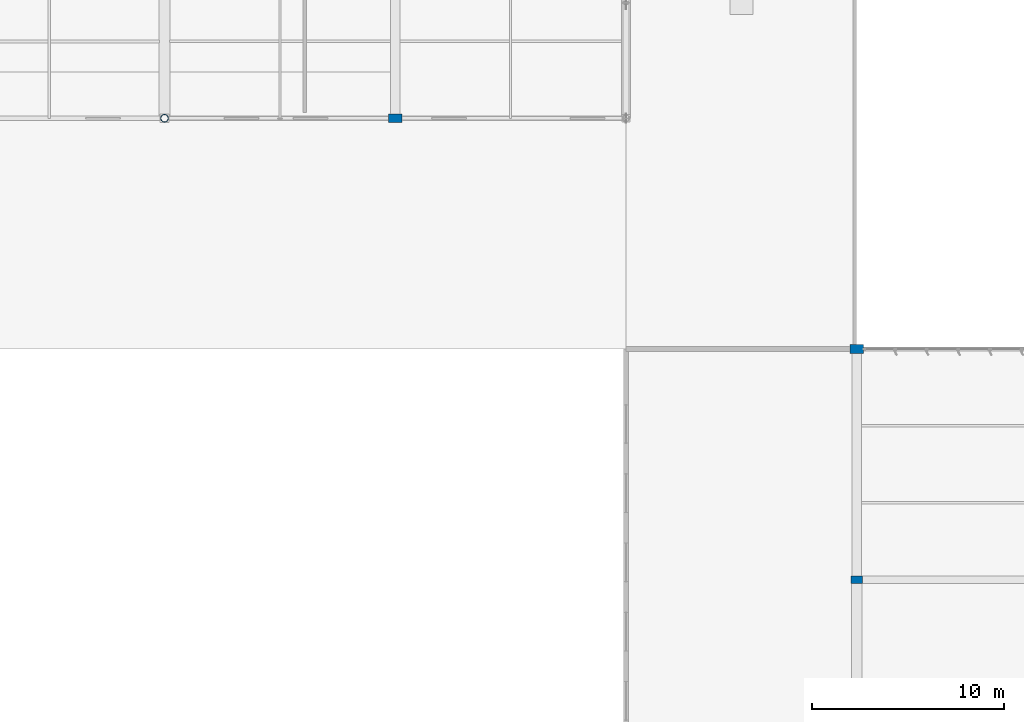
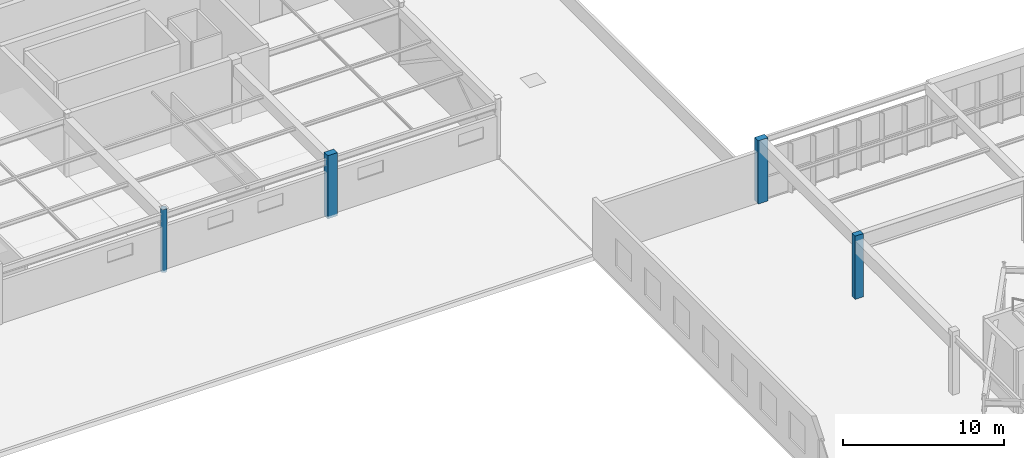
# One storey, part 3 of 186: 4 columns.
"""IFC4 building model written with IfcOpenShell, lengths in metres."""

from ifc_helpers import new_model, si_unit, direction, frame, origin, origin_2d, place, context, subcontext, project, spatial, rectangle, hollow_circle, extrude, material, material_profile, profile_set, type_object, element, save


model = new_model("IFC4")

# Units and contexts
model_context = context("Model", 3, precision=1e-05, world=origin(), true_north=direction((0.0, 1.0)))
body_context = subcontext(model_context, "Body", "Model", "MODEL_VIEW")
ifc_project = project(units=[si_unit("LENGTHUNIT", "METRE"), si_unit("AREAUNIT", "SQUARE_METRE"), si_unit("VOLUMEUNIT", "CUBIC_METRE"), si_unit("PLANEANGLEUNIT", "RADIAN"), si_unit("MASSUNIT", "GRAM", prefix="KILO")], contexts=[model_context])

# Site, building, storey
site_placement = place(None, origin())
site = spatial("IfcSite", under=ifc_project, at=site_placement, CompositionType="ELEMENT")
building_placement = place(site_placement, origin())
building = spatial("IfcBuilding", under=site, at=building_placement, Name="Tarnwether General Hospital", CompositionType="ELEMENT")
storey_placement = place(building_placement, frame((0.0, 0.0, 9.60009765625)))
storey = spatial("IfcBuildingStorey", under=building, at=storey_placement, Name="L02", CompositionType="ELEMENT", Elevation=9.60009765625)

# Columns
ifc_material_1 = material(Name="Steel Grade C350L0 (350 MPa)", Category="steel")
ifc_material_profile_1 = material_profile(ifc_material_1, hollow_circle(Radius=0.203125, WallThickness=0.01611328125, at=origin_2d()), Name="CHS406.4x16.0")
ifc_profile_set_1 = profile_set([ifc_material_profile_1], Name="Steel Grade C350L0 (350 MPa)")
column_type_1 = type_object("IfcColumnType", Name="COL-10", PredefinedType="COLUMN", material=ifc_profile_set_1)
column_1_placement = place(storey_placement, frame((24.0, 57.60009765625, 0.0), z_axis=(0.0, 0.0, 1.0), x_axis=(1.0, 0.0, 0.0)))
element("IfcColumn", 1, at=column_1_placement, inside=storey, type_object=column_type_1, Name="Column COLG-L02-2400_5760", PredefinedType="COLUMN", context=body_context, shape_type="SweptSolid", body=[
    extrude(hollow_circle(Radius=0.203125, WallThickness=0.01611328125, at=origin_2d()), origin(), (0.0, 0.0, 1.0), 4.7998046875),
])
ifc_material_2 = material(Name="Concrete 50 MPa", Category="concrete")
ifc_material_profile_2 = material_profile(ifc_material_2, rectangle(XDim=0.39990234375, YDim=0.60009765625, at=origin_2d()), Name="RC-PIL-400x600")
ifc_profile_set_2 = profile_set([ifc_material_profile_2], Name="Concrete 50 MPa")
column_type_2 = type_object("IfcColumnType", Name="COL-21", PredefinedType="PILASTER", material=ifc_profile_set_2)
column_2_placement = place(storey_placement, frame((60.0, 33.60009765625, 0.0), z_axis=(0.0, 0.0, 1.0), x_axis=(0.0, 1.0, 0.0)))
element("IfcColumn", 2, at=column_2_placement, inside=storey, type_object=column_type_2, Name="Column COLG-L02-6000_3360", PredefinedType="PILASTER", context=body_context, shape_type="SweptSolid", body=[
    extrude(rectangle(XDim=0.39990234375, YDim=0.60009765625, at=origin_2d()), origin(), (0.0, 0.0, 1.0), 4.7998046875),
])
ifc_material_3 = material(Name="Concrete 50 MPa", Category="concrete")
ifc_material_profile_3 = material_profile(ifc_material_3, rectangle(XDim=0.449951171875, YDim=0.699951171875, at=origin_2d()), Name="RC-PIL-450x700")
ifc_profile_set_3 = profile_set([ifc_material_profile_3], Name="Concrete 50 MPa")
column_type_3 = type_object("IfcColumnType", Name="COL-22", PredefinedType="PILASTER", material=ifc_profile_set_3)
for number, where, z_axis, x_axis, name in (
    (3, (36.0, 57.60009765625, 0.0), (0.0, 0.0, 1.0), (0.0, 1.0, 0.0), "Column COLG-L02-3600_5760"),
    (4, (60.0, 45.60009765625, 0.0), (0.0, 0.0, 1.0), (0.0, 1.0, 0.0), "Column COLG-L02-6000_4560"),
):
    element("IfcColumn", number, at=place(storey_placement, frame(where, z_axis=z_axis, x_axis=x_axis)), inside=storey, type_object=column_type_3, Name=name, PredefinedType="PILASTER", context=body_context, shape_type="SweptSolid", body=[
        extrude(rectangle(XDim=0.449951171875, YDim=0.699951171875, at=origin_2d()), origin(), (0.0, 0.0, 1.0), 4.7998046875),
    ])

save(model, "model.ifc")
